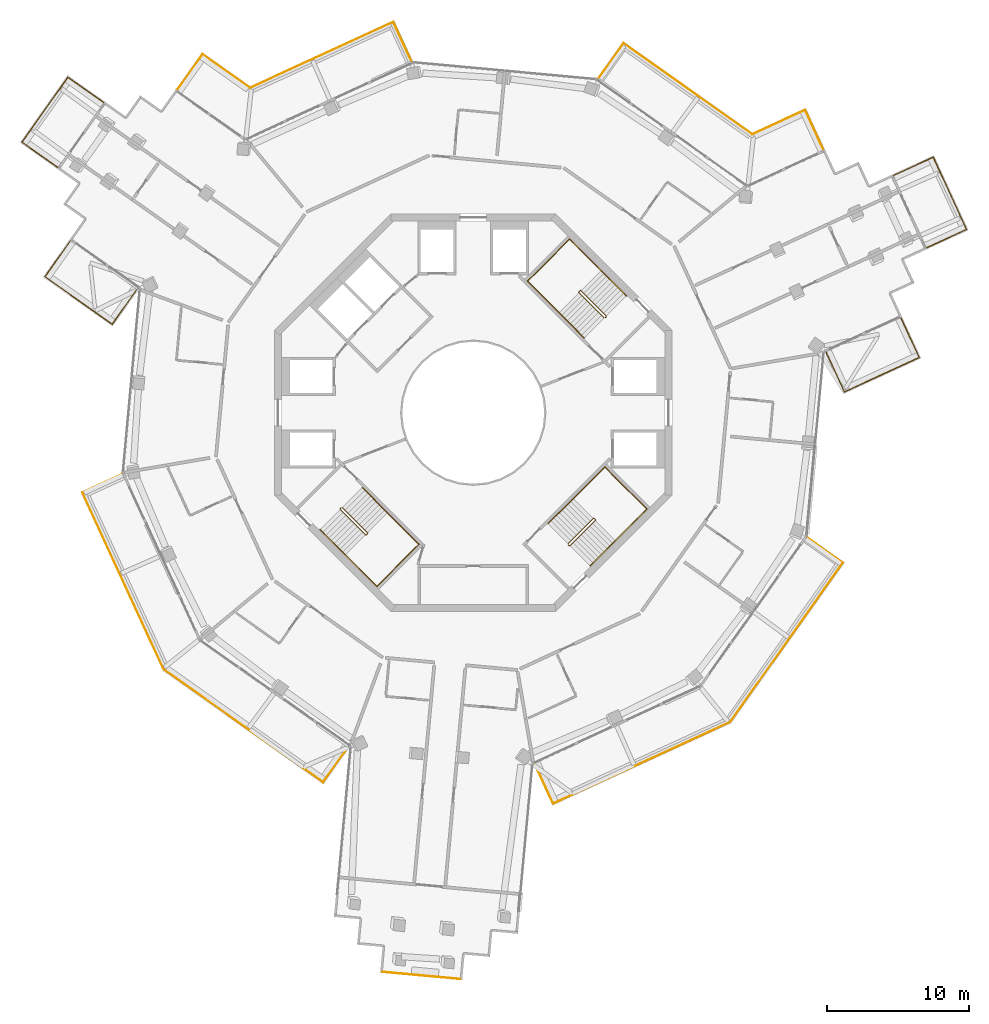
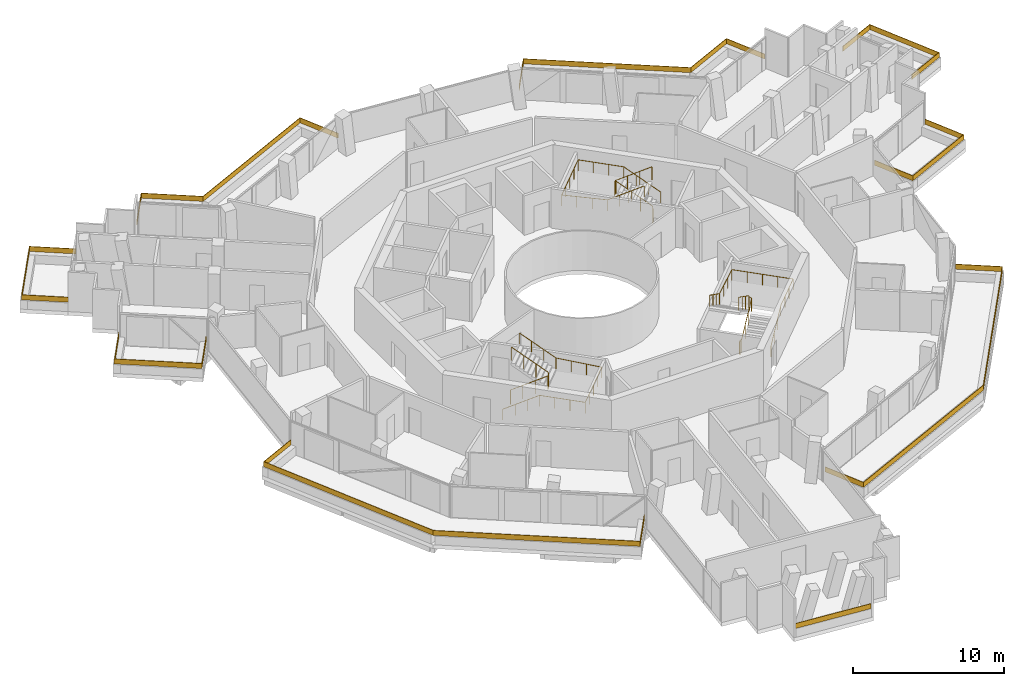
# One storey, part 23 of 23: 15 railings.
"""IFC4 building model written with IfcOpenShell, lengths in metres."""

from ifc_helpers import new_model, si_unit, direction, frame, origin, origin_2d, place, context, subcontext, project, spatial, polyline, rectangle, circle, outline, extrude, material, layer, layer_set, type_object, element, save


model = new_model("IFC4")

# Units and contexts
model_context = context("Model", 3, precision=1e-05, world=origin(), true_north=direction((0.0, 1.0)))
body_context = subcontext(model_context, "Body", "Model", "MODEL_VIEW")
ifc_project = project(units=[si_unit("LENGTHUNIT", "METRE"), si_unit("AREAUNIT", "SQUARE_METRE"), si_unit("VOLUMEUNIT", "CUBIC_METRE"), si_unit("PLANEANGLEUNIT", "RADIAN"), si_unit("MASSUNIT", "GRAM", prefix="KILO")], contexts=[model_context])

# Site, building, storey
site_placement = place(None, origin())
site = spatial("IfcSite", under=ifc_project, at=site_placement, CompositionType="ELEMENT")
building_placement = place(site_placement, origin())
building = spatial("IfcBuilding", under=site, at=building_placement, Name="Verdalira Terraces Hotel", CompositionType="ELEMENT")
storey_placement = place(building_placement, frame((0.0, 0.0, 256.0)))
storey = spatial("IfcBuildingStorey", under=building, at=storey_placement, Name="L63", CompositionType="ELEMENT", Elevation=256.0)

# Railings
ifc_material_1 = material(Name="Laminated glass", Category="glass")
ifc_layer = layer(ifc_material_1, 0.0400390625)
ifc_layer_set = layer_set([ifc_layer], Name="Balcony glass guard 400")
railing_type_1 = type_object("IfcRailingType", Name="Balcony glass guard 400", PredefinedType="GUARDRAIL", material=ifc_layer_set)
railing_1_placement = place(storey_placement, frame((0.0, 0.0, 0.699951)))
element("IfcRailing", 1, at=railing_1_placement, inside=storey, type_object=railing_type_1, Name="Balcony glass guard", PredefinedType="GUARDRAIL", context=body_context, shape_type="SweptSolid", body=[
    extrude(outline(polyline([(-28.545166, 23.601562), (-31.756348, 19.062744), (-29.24292, 17.284424), (-29.266113, 17.251709), (-31.812256, 19.053223), (-28.554688, 23.657227), (-26.008545, 21.855957), (-26.031494, 21.823242), (-28.545166, 23.601562)])), origin(), (0.0, 0.0, 1.0), 0.400146),
])
railing_2_placement = place(storey_placement, frame((0.0, 0.0, 0.699951)))
element("IfcRailing", 2, at=railing_2_placement, inside=storey, type_object=railing_type_1, Name="Balcony glass guard", PredefinedType="GUARDRAIL", context=body_context, shape_type="SweptSolid", body=[
    extrude(outline(polyline([(-30.132812, 9.583984), (-25.434082, 6.259766), (-23.655762, 8.773193), (-23.623047, 8.750244), (-25.424561, 6.203857), (-30.188477, 9.574463), (-28.387207, 12.120605), (-28.354492, 12.097656), (-30.132812, 9.583984)])), origin(), (0.0, 0.0, 1.0), 0.400146),
])
railing_3_placement = place(storey_placement, frame((0.0, 0.0, 0.699951)))
element("IfcRailing", 3, at=railing_3_placement, inside=storey, type_object=railing_type_1, Name="Balcony glass guard", PredefinedType="GUARDRAIL", context=body_context, shape_type="SweptSolid", body=[
    extrude(outline(polyline([(-27.501221, -5.637207), (-21.769775, -18.086426), (-10.581543, -26.002197), (-8.803223, -23.48877), (-8.770508, -23.511963), (-10.572021, -26.058105), (-21.801758, -18.113037), (-27.554199, -5.617432), (-24.720947, -4.313232), (-24.704346, -4.349609), (-27.501221, -5.637207)])), origin(), (0.0, 0.0, 1.0), 0.400146),
])
railing_4_placement = place(storey_placement, frame((0.0, 0.0, 0.699951)))
element("IfcRailing", 4, at=railing_4_placement, inside=storey, type_object=railing_type_1, Name="Balcony glass guard", PredefinedType="GUARDRAIL", context=body_context, shape_type="SweptSolid", body=[
    extrude(outline(polyline([(5.637207, -27.501221), (18.086426, -21.769775), (26.002197, -10.581543), (23.48877, -8.803223), (23.511963, -8.770508), (26.058105, -10.572021), (18.113037, -21.801758), (5.617432, -27.554199), (4.313232, -24.720947), (4.349609, -24.704346), (5.637207, -27.501221)])), origin(), (0.0, 0.0, 1.0), 0.400146),
])
railing_5_placement = place(storey_placement, frame((0.0, 0.0, 0.699951)))
element("IfcRailing", 5, at=railing_5_placement, inside=storey, type_object=railing_type_1, Name="Balcony glass guard", PredefinedType="GUARDRAIL", context=body_context, shape_type="SweptSolid", body=[
    extrude(outline(polyline([(26.150635, 1.492432), (31.378906, 3.899414), (30.091309, 6.696289), (30.127686, 6.713135), (31.431885, 3.879883), (26.130859, 1.439453), (24.82666, 4.272705), (24.863037, 4.289307), (26.150635, 1.492432)])), origin(), (0.0, 0.0, 1.0), 0.400146),
])
railing_6_placement = place(storey_placement, frame((0.0, 0.0, 0.699951)))
element("IfcRailing", 6, at=railing_6_placement, inside=storey, type_object=railing_type_1, Name="Balcony glass guard", PredefinedType="GUARDRAIL", context=body_context, shape_type="SweptSolid", body=[
    extrude(outline(polyline([(34.712158, 12.919922), (32.386963, 17.970459), (29.590088, 16.682861), (29.573486, 16.719238), (32.406494, 18.023682), (34.765137, 12.900391), (31.931885, 11.596191), (31.915283, 11.632324), (34.712158, 12.919922)])), origin(), (0.0, 0.0, 1.0), 0.400146),
])
railing_7_placement = place(storey_placement, frame((0.0, 0.0, 0.699951)))
element("IfcRailing", 7, at=railing_7_placement, inside=storey, type_object=railing_type_1, Name="Balcony glass guard", PredefinedType="GUARDRAIL", context=body_context, shape_type="SweptSolid", body=[
    extrude(outline(polyline([(23.366455, 21.303711), (19.644531, 19.590088), (10.581543, 26.002197), (8.803223, 23.48877), (8.770508, 23.511963), (10.572021, 26.058105), (19.648682, 19.63623), (23.385986, 21.356689), (24.69043, 18.523682), (24.654053, 18.506836), (23.366455, 21.303711)])), origin(), (0.0, 0.0, 1.0), 0.400146),
])
railing_8_placement = place(storey_placement, frame((0.0, 0.0, 0.699951)))
element("IfcRailing", 8, at=railing_8_placement, inside=storey, type_object=railing_type_1, Name="Balcony glass guard", PredefinedType="GUARDRAIL", context=body_context, shape_type="SweptSolid", body=[
    extrude(outline(polyline([(-5.637207, 27.501221), (-15.721436, 22.858643), (-19.066406, 25.225098), (-20.844971, 22.71167), (-20.877441, 22.734863), (-19.076172, 25.281006), (-15.717285, 22.904541), (-5.617432, 27.554199), (-4.313232, 24.720947), (-4.349609, 24.704346), (-5.637207, 27.501221)])), origin(), (0.0, 0.0, 1.0), 0.400146),
])
railing_9_placement = place(storey_placement, frame((-3.662842, -39.635254, 0.699951), z_axis=(0.0, 0.0, 1.0), x_axis=(0.995756881, -0.092023008, 0.0)))
element("IfcRailing", 9, at=railing_9_placement, inside=storey, type_object=railing_type_1, Name="Loggia glass guard", PredefinedType="GUARDRAIL", context=body_context, shape_type="SweptSolid", body=[
    extrude(rectangle(XDim=5.5, YDim=0.040039, at=origin_2d()), origin(), (0.0, 0.0, 1.0), 0.399902),
])
ifc_material_2 = material(Name="Stainless steel", Category="steel")
railing_type_2 = type_object("IfcRailingType", Name="Stair guard 1100", PredefinedType="GUARDRAIL", material=ifc_material_2)
railing_10_placement = place(storey_placement, frame((9.369141, 6.75293, 0.0)))
element("IfcRailing", 10, at=railing_10_placement, inside=storey, type_object=railing_type_2, Name="L63 ST1 stair guard 1", PredefinedType="GUARDRAIL", context=body_context, shape_type="SweptSolid", body=[
    extrude(circle(Radius=0.023926, at=origin_2d()), frame((0.0, 0.0, 1.076172), z_axis=(-0.707106781, -0.707106781, 0.0), x_axis=(0.707106781, -0.707106781, 0.0)), (0.0, 0.0, 1.0), 0.100098),
    extrude(circle(Radius=0.023926, at=origin_2d()), frame((-0.070801, -0.070801, 1.076172), z_axis=(0.300162975, 0.599290904, 0.742127078), x_axis=(-0.894118129, 0.447831187, 0.0)), (0.0, 0.0, 1.0), 0.23584),
    extrude(circle(Radius=0.023926, at=origin_2d()), frame((0.0, 0.070557, 1.250977), z_axis=(-0.599637504, 0.599637504, 0.52997144), x_axis=(-0.707106781, -0.707106781, 0.0)), (0.0, 0.0, 1.0), 2.97168),
    extrude(circle(Radius=0.023926, at=origin_2d()), frame((-1.781982, 1.852539, 2.826172), z_axis=(-1.0, 0.0, 0.0), x_axis=(0.0, -1.0, 0.0)), (0.0, 0.0, 1.0), 0.070557),
    extrude(circle(Radius=0.023926, at=origin_2d()), frame((-1.852539, 1.852539, 2.826172), z_axis=(-0.707106781, -0.707106781, 0.0), x_axis=(0.707106781, -0.707106781, 0.0)), (0.0, 0.0, 1.0), 0.100098),
    extrude(circle(Radius=0.023926, at=origin_2d()), frame((-1.92334, 1.781738, 2.826172), z_axis=(0.0, -0.373842709, 0.927492118), x_axis=(1.0, 0.0, 0.0)), (0.0, 0.0, 1.0), 0.188721),
    extrude(circle(Radius=0.023926, at=origin_2d()), frame((-1.92334, 1.711182, 3.000977), z_axis=(0.599637504, -0.599637504, 0.52997144), x_axis=(0.707106781, 0.707106781, 0.0)), (0.0, 0.0, 1.0), 2.97168),
    extrude(circle(Radius=0.020996, at=origin_2d()), origin(), (0.0, 0.0, 1.0), 1.052002),
    extrude(circle(Radius=0.020996, at=origin_2d()), frame((-0.070801, -0.070801, 0.0)), (0.0, 0.0, 1.0), 1.052002),
    extrude(circle(Radius=0.020996, at=origin_2d()), frame((0.0, 0.070557, 0.175049)), (0.0, 0.0, 1.0), 1.052002),
    extrude(circle(Radius=0.020996, at=origin_2d()), frame((-0.593994, 0.664551, 0.699951)), (0.0, 0.0, 1.0), 1.052002),
    extrude(circle(Radius=0.020996, at=origin_2d()), frame((-1.187988, 1.258545, 1.225098)), (0.0, 0.0, 1.0), 1.052002),
    extrude(circle(Radius=0.020996, at=origin_2d()), frame((-1.781982, 1.852539, 1.75)), (0.0, 0.0, 1.0), 1.052002),
    extrude(circle(Radius=0.020996, at=origin_2d()), frame((-1.852539, 1.852539, 1.75)), (0.0, 0.0, 1.0), 1.052002),
    extrude(circle(Radius=0.020996, at=origin_2d()), frame((-1.92334, 1.781738, 1.75)), (0.0, 0.0, 1.0), 1.052002),
    extrude(circle(Radius=0.020996, at=origin_2d()), frame((-1.92334, 1.711182, 1.925049)), (0.0, 0.0, 1.0), 1.052002),
    extrude(circle(Radius=0.020996, at=origin_2d()), frame((-1.329346, 1.117188, 2.449951)), (0.0, 0.0, 1.0), 1.052002),
    extrude(circle(Radius=0.020996, at=origin_2d()), frame((-0.735352, 0.523193, 2.975098)), (0.0, 0.0, 1.0), 1.052002),
    extrude(circle(Radius=0.020996, at=origin_2d()), frame((-0.141357, -0.070801, 3.5)), (0.0, 0.0, 1.0), 1.052002),
])
railing_11_placement = place(storey_placement, frame((-9.369141, -6.75293, 0.0)))
element("IfcRailing", 11, at=railing_11_placement, inside=storey, type_object=railing_type_2, Name="L63 ST2 stair guard 1", PredefinedType="GUARDRAIL", context=body_context, shape_type="SweptSolid", body=[
    extrude(circle(Radius=0.023926, at=origin_2d()), frame((0.0, 0.0, 1.076172), z_axis=(0.707106781, 0.707106781, 0.0), x_axis=(-0.707106781, 0.707106781, 0.0)), (0.0, 0.0, 1.0), 0.100098),
    extrude(circle(Radius=0.023926, at=origin_2d()), frame((0.070801, 0.070801, 1.076172), z_axis=(-0.300162975, -0.599290904, 0.742127078), x_axis=(0.894118129, -0.447831187, 0.0)), (0.0, 0.0, 1.0), 0.23584),
    extrude(circle(Radius=0.023926, at=origin_2d()), frame((0.0, -0.070557, 1.250977), z_axis=(0.599637504, -0.599637504, 0.52997144), x_axis=(0.707106781, 0.707106781, 0.0)), (0.0, 0.0, 1.0), 2.97168),
    extrude(circle(Radius=0.023926, at=origin_2d()), frame((1.781982, -1.852539, 2.826172), z_axis=(1.0, 0.0, 0.0), x_axis=(0.0, 1.0, 0.0)), (0.0, 0.0, 1.0), 0.070557),
    extrude(circle(Radius=0.023926, at=origin_2d()), frame((1.852539, -1.852539, 2.826172), z_axis=(0.707106781, 0.707106781, 0.0), x_axis=(-0.707106781, 0.707106781, 0.0)), (0.0, 0.0, 1.0), 0.100098),
    extrude(circle(Radius=0.023926, at=origin_2d()), frame((1.92334, -1.781738, 2.826172), z_axis=(0.0, 0.373842709, 0.927492118), x_axis=(-1.0, 0.0, 0.0)), (0.0, 0.0, 1.0), 0.188721),
    extrude(circle(Radius=0.023926, at=origin_2d()), frame((1.92334, -1.711182, 3.000977), z_axis=(-0.599637504, 0.599637504, 0.52997144), x_axis=(-0.707106781, -0.707106781, 0.0)), (0.0, 0.0, 1.0), 2.97168),
    extrude(circle(Radius=0.020996, at=origin_2d()), origin(), (0.0, 0.0, 1.0), 1.052002),
    extrude(circle(Radius=0.020996, at=origin_2d()), frame((0.070801, 0.070801, 0.0)), (0.0, 0.0, 1.0), 1.052002),
    extrude(circle(Radius=0.020996, at=origin_2d()), frame((0.0, -0.070557, 0.175049)), (0.0, 0.0, 1.0), 1.052002),
    extrude(circle(Radius=0.020996, at=origin_2d()), frame((0.593994, -0.664551, 0.699951)), (0.0, 0.0, 1.0), 1.052002),
    extrude(circle(Radius=0.020996, at=origin_2d()), frame((1.187988, -1.258545, 1.225098)), (0.0, 0.0, 1.0), 1.052002),
    extrude(circle(Radius=0.020996, at=origin_2d()), frame((1.781982, -1.852539, 1.75)), (0.0, 0.0, 1.0), 1.052002),
    extrude(circle(Radius=0.020996, at=origin_2d()), frame((1.852539, -1.852539, 1.75)), (0.0, 0.0, 1.0), 1.052002),
    extrude(circle(Radius=0.020996, at=origin_2d()), frame((1.92334, -1.781738, 1.75)), (0.0, 0.0, 1.0), 1.052002),
    extrude(circle(Radius=0.020996, at=origin_2d()), frame((1.92334, -1.711182, 1.925049)), (0.0, 0.0, 1.0), 1.052002),
    extrude(circle(Radius=0.020996, at=origin_2d()), frame((1.329346, -1.117188, 2.449951)), (0.0, 0.0, 1.0), 1.052002),
    extrude(circle(Radius=0.020996, at=origin_2d()), frame((0.735352, -0.523193, 2.975098)), (0.0, 0.0, 1.0), 1.052002),
    extrude(circle(Radius=0.020996, at=origin_2d()), frame((0.141357, 0.070801, 3.5)), (0.0, 0.0, 1.0), 1.052002),
])
railing_12_placement = place(storey_placement, frame((6.75293, -9.369141, 0.0)))
element("IfcRailing", 12, at=railing_12_placement, inside=storey, type_object=railing_type_2, Name="L63 ST3 stair guard 1", PredefinedType="GUARDRAIL", context=body_context, shape_type="SweptSolid", body=[
    extrude(circle(Radius=0.023926, at=origin_2d()), frame((0.0, 0.0, 1.076172), z_axis=(-0.707106781, 0.707106781, 0.0), x_axis=(-0.707106781, -0.707106781, 0.0)), (0.0, 0.0, 1.0), 0.100098),
    extrude(circle(Radius=0.023926, at=origin_2d()), frame((-0.070801, 0.070801, 1.076172), z_axis=(0.599290904, -0.300162975, 0.742127078), x_axis=(0.447831187, 0.894118129, 0.0)), (0.0, 0.0, 1.0), 0.23584),
    extrude(circle(Radius=0.023926, at=origin_2d()), frame((0.070557, 0.0, 1.250977), z_axis=(0.599637504, 0.599637504, 0.52997144), x_axis=(-0.707106781, 0.707106781, 0.0)), (0.0, 0.0, 1.0), 2.97168),
    extrude(circle(Radius=0.023926, at=origin_2d()), frame((1.852539, 1.781982, 2.826172), z_axis=(0.0, 1.0, 0.0), x_axis=(-1.0, 0.0, 0.0)), (0.0, 0.0, 1.0), 0.070557),
    extrude(circle(Radius=0.023926, at=origin_2d()), frame((1.852539, 1.852539, 2.826172), z_axis=(-0.707106781, 0.707106781, 0.0), x_axis=(-0.707106781, -0.707106781, 0.0)), (0.0, 0.0, 1.0), 0.100098),
    extrude(circle(Radius=0.023926, at=origin_2d()), frame((1.781738, 1.92334, 2.826172), z_axis=(-0.373842709, 0.0, 0.927492118), x_axis=(0.0, -1.0, 0.0)), (0.0, 0.0, 1.0), 0.188721),
    extrude(circle(Radius=0.023926, at=origin_2d()), frame((1.711182, 1.92334, 3.000977), z_axis=(-0.599637504, -0.599637504, 0.52997144), x_axis=(0.707106781, -0.707106781, 0.0)), (0.0, 0.0, 1.0), 2.97168),
    extrude(circle(Radius=0.020996, at=origin_2d()), origin(), (0.0, 0.0, 1.0), 1.052002),
    extrude(circle(Radius=0.020996, at=origin_2d()), frame((-0.070801, 0.070801, 0.0)), (0.0, 0.0, 1.0), 1.052002),
    extrude(circle(Radius=0.020996, at=origin_2d()), frame((0.070557, 0.0, 0.175049)), (0.0, 0.0, 1.0), 1.052002),
    extrude(circle(Radius=0.020996, at=origin_2d()), frame((0.664551, 0.593994, 0.699951)), (0.0, 0.0, 1.0), 1.052002),
    extrude(circle(Radius=0.020996, at=origin_2d()), frame((1.258545, 1.187988, 1.225098)), (0.0, 0.0, 1.0), 1.052002),
    extrude(circle(Radius=0.020996, at=origin_2d()), frame((1.852539, 1.781982, 1.75)), (0.0, 0.0, 1.0), 1.052002),
    extrude(circle(Radius=0.020996, at=origin_2d()), frame((1.852539, 1.852539, 1.75)), (0.0, 0.0, 1.0), 1.052002),
    extrude(circle(Radius=0.020996, at=origin_2d()), frame((1.781738, 1.92334, 1.75)), (0.0, 0.0, 1.0), 1.052002),
    extrude(circle(Radius=0.020996, at=origin_2d()), frame((1.711182, 1.92334, 1.925049)), (0.0, 0.0, 1.0), 1.052002),
    extrude(circle(Radius=0.020996, at=origin_2d()), frame((1.117188, 1.329346, 2.449951)), (0.0, 0.0, 1.0), 1.052002),
    extrude(circle(Radius=0.020996, at=origin_2d()), frame((0.523193, 0.735352, 2.975098)), (0.0, 0.0, 1.0), 1.052002),
    extrude(circle(Radius=0.020996, at=origin_2d()), frame((-0.070801, 0.141357, 3.5)), (0.0, 0.0, 1.0), 1.052002),
])
ifc_material_3 = material(Name="Stainless steel", Category="steel")
railing_type_3 = type_object("IfcRailingType", Name="Stair handrail 900", PredefinedType="HANDRAIL", material=ifc_material_3)
railing_13_placement = place(storey_placement, frame((10.783447, 8.237793, 0.175049)))
element("IfcRailing", 13, at=railing_13_placement, inside=storey, type_object=railing_type_3, Name="L63 ST1 stair handrail 1", PredefinedType="HANDRAIL", context=body_context, shape_type="SweptSolid", body=[
    extrude(circle(Radius=0.023926, at=origin_2d()), frame((0.0, 0.0, 0.875977), z_axis=(-0.599637504, 0.599637504, 0.52997144), x_axis=(-0.707106781, -0.707106781, 0.0)), (0.0, 0.0, 1.0), 2.97168),
    extrude(circle(Radius=0.023926, at=origin_2d()), frame((-1.781982, 1.781982, 2.450684), z_axis=(-0.707106781, 0.707106781, 0.0), x_axis=(-0.707106781, -0.707106781, 0.0)), (0.0, 0.0, 1.0), 3.129883),
    extrude(circle(Radius=0.023926, at=origin_2d()), frame((-3.995117, 3.995117, 2.450684), z_axis=(-0.707135845, -0.707077716, 0.0), x_axis=(0.707077716, -0.707135845, 0.0)), (0.0, 0.0, 1.0), 4.199951),
    extrude(circle(Radius=0.023926, at=origin_2d()), frame((-6.965088, 1.025391, 2.450684), z_axis=(0.706003682, -0.706003682, 0.0558355), x_axis=(0.707106781, 0.707106781, 0.0)), (0.0, 0.0, 1.0), 3.13501),
    extrude(circle(Radius=0.023926, at=origin_2d()), frame((-4.751709, -1.187988, 2.625977), z_axis=(0.599614426, -0.599614426, 0.530023659), x_axis=(0.707106781, 0.707106781, 0.0)), (0.0, 0.0, 1.0), 2.971436),
    extrude(circle(Radius=0.020996, at=origin_2d()), origin(), (0.0, 0.0, 1.0), 0.851807),
    extrude(circle(Radius=0.020996, at=origin_2d()), frame((-0.593994, 0.593994, 0.524902)), (0.0, 0.0, 1.0), 0.851807),
    extrude(circle(Radius=0.020996, at=origin_2d()), frame((-1.187988, 1.187988, 1.050049)), (0.0, 0.0, 1.0), 0.851807),
    extrude(circle(Radius=0.020996, at=origin_2d()), frame((-1.781982, 1.781982, 1.574951)), (0.0, 0.0, 1.0), 0.851807),
    extrude(circle(Radius=0.020996, at=origin_2d()), frame((-2.519775, 2.519775, 1.574951)), (0.0, 0.0, 1.0), 0.851807),
    extrude(circle(Radius=0.020996, at=origin_2d()), frame((-3.257324, 3.257324, 1.574951)), (0.0, 0.0, 1.0), 0.851807),
    extrude(circle(Radius=0.020996, at=origin_2d()), frame((-3.995117, 3.995117, 1.574951)), (0.0, 0.0, 1.0), 0.851807),
    extrude(circle(Radius=0.020996, at=origin_2d()), frame((-4.737549, 3.252686, 1.574951)), (0.0, 0.0, 1.0), 0.851807),
    extrude(circle(Radius=0.020996, at=origin_2d()), frame((-5.47998, 2.510254, 1.574951)), (0.0, 0.0, 1.0), 0.851807),
    extrude(circle(Radius=0.020996, at=origin_2d()), frame((-6.222656, 1.767822, 1.574951)), (0.0, 0.0, 1.0), 0.851807),
    extrude(circle(Radius=0.020996, at=origin_2d()), frame((-6.965088, 1.025391, 1.574951)), (0.0, 0.0, 1.0), 0.851807),
    extrude(circle(Radius=0.020996, at=origin_2d()), frame((-6.227295, 0.287598, 1.633301)), (0.0, 0.0, 1.0), 0.851807),
    extrude(circle(Radius=0.020996, at=origin_2d()), frame((-5.489502, -0.450195, 1.69165)), (0.0, 0.0, 1.0), 0.851807),
    extrude(circle(Radius=0.020996, at=origin_2d()), frame((-4.751709, -1.187988, 1.75)), (0.0, 0.0, 1.0), 0.851807),
    extrude(circle(Radius=0.020996, at=origin_2d()), frame((-4.157715, -1.781982, 2.274902)), (0.0, 0.0, 1.0), 0.851807),
    extrude(circle(Radius=0.020996, at=origin_2d()), frame((-3.563965, -2.375732, 2.800049)), (0.0, 0.0, 1.0), 0.851807),
    extrude(circle(Radius=0.020996, at=origin_2d()), frame((-2.969971, -2.969727, 3.324951)), (0.0, 0.0, 1.0), 0.851807),
])
railing_14_placement = place(storey_placement, frame((-10.783447, -8.237793, 0.175049)))
element("IfcRailing", 14, at=railing_14_placement, inside=storey, type_object=railing_type_3, Name="L63 ST2 stair handrail 1", PredefinedType="HANDRAIL", context=body_context, shape_type="SweptSolid", body=[
    extrude(circle(Radius=0.023926, at=origin_2d()), frame((0.0, 0.0, 0.875977), z_axis=(0.599637504, -0.599637504, 0.52997144), x_axis=(0.707106781, 0.707106781, 0.0)), (0.0, 0.0, 1.0), 2.97168),
    extrude(circle(Radius=0.023926, at=origin_2d()), frame((1.781982, -1.781982, 2.450684), z_axis=(0.707106781, -0.707106781, 0.0), x_axis=(0.707106781, 0.707106781, 0.0)), (0.0, 0.0, 1.0), 3.129883),
    extrude(circle(Radius=0.023926, at=origin_2d()), frame((3.995117, -3.995117, 2.450684), z_axis=(0.707135845, 0.707077716, 0.0), x_axis=(-0.707077716, 0.707135845, 0.0)), (0.0, 0.0, 1.0), 4.199951),
    extrude(circle(Radius=0.023926, at=origin_2d()), frame((6.965088, -1.025391, 2.450684), z_axis=(-0.706003682, 0.706003682, 0.0558355), x_axis=(-0.707106781, -0.707106781, 0.0)), (0.0, 0.0, 1.0), 3.13501),
    extrude(circle(Radius=0.023926, at=origin_2d()), frame((4.751709, 1.187988, 2.625977), z_axis=(-0.599614426, 0.599614426, 0.530023659), x_axis=(-0.707106781, -0.707106781, 0.0)), (0.0, 0.0, 1.0), 2.971436),
    extrude(circle(Radius=0.020996, at=origin_2d()), origin(), (0.0, 0.0, 1.0), 0.851807),
    extrude(circle(Radius=0.020996, at=origin_2d()), frame((0.593994, -0.593994, 0.524902)), (0.0, 0.0, 1.0), 0.851807),
    extrude(circle(Radius=0.020996, at=origin_2d()), frame((1.187988, -1.187988, 1.050049)), (0.0, 0.0, 1.0), 0.851807),
    extrude(circle(Radius=0.020996, at=origin_2d()), frame((1.781982, -1.781982, 1.574951)), (0.0, 0.0, 1.0), 0.851807),
    extrude(circle(Radius=0.020996, at=origin_2d()), frame((2.519775, -2.519775, 1.574951)), (0.0, 0.0, 1.0), 0.851807),
    extrude(circle(Radius=0.020996, at=origin_2d()), frame((3.257324, -3.257324, 1.574951)), (0.0, 0.0, 1.0), 0.851807),
    extrude(circle(Radius=0.020996, at=origin_2d()), frame((3.995117, -3.995117, 1.574951)), (0.0, 0.0, 1.0), 0.851807),
    extrude(circle(Radius=0.020996, at=origin_2d()), frame((4.737549, -3.252686, 1.574951)), (0.0, 0.0, 1.0), 0.851807),
    extrude(circle(Radius=0.020996, at=origin_2d()), frame((5.47998, -2.510254, 1.574951)), (0.0, 0.0, 1.0), 0.851807),
    extrude(circle(Radius=0.020996, at=origin_2d()), frame((6.222656, -1.767822, 1.574951)), (0.0, 0.0, 1.0), 0.851807),
    extrude(circle(Radius=0.020996, at=origin_2d()), frame((6.965088, -1.025391, 1.574951)), (0.0, 0.0, 1.0), 0.851807),
    extrude(circle(Radius=0.020996, at=origin_2d()), frame((6.227295, -0.287598, 1.633301)), (0.0, 0.0, 1.0), 0.851807),
    extrude(circle(Radius=0.020996, at=origin_2d()), frame((5.489502, 0.450195, 1.69165)), (0.0, 0.0, 1.0), 0.851807),
    extrude(circle(Radius=0.020996, at=origin_2d()), frame((4.751709, 1.187988, 1.75)), (0.0, 0.0, 1.0), 0.851807),
    extrude(circle(Radius=0.020996, at=origin_2d()), frame((4.157715, 1.781982, 2.274902)), (0.0, 0.0, 1.0), 0.851807),
    extrude(circle(Radius=0.020996, at=origin_2d()), frame((3.563965, 2.375732, 2.800049)), (0.0, 0.0, 1.0), 0.851807),
    extrude(circle(Radius=0.020996, at=origin_2d()), frame((2.969971, 2.969727, 3.324951)), (0.0, 0.0, 1.0), 0.851807),
])
railing_15_placement = place(storey_placement, frame((8.237793, -10.783447, 0.175049)))
element("IfcRailing", 15, at=railing_15_placement, inside=storey, type_object=railing_type_3, Name="L63 ST3 stair handrail 1", PredefinedType="HANDRAIL", context=body_context, shape_type="SweptSolid", body=[
    extrude(circle(Radius=0.023926, at=origin_2d()), frame((0.0, 0.0, 0.875977), z_axis=(0.599637504, 0.599637504, 0.52997144), x_axis=(-0.707106781, 0.707106781, 0.0)), (0.0, 0.0, 1.0), 2.97168),
    extrude(circle(Radius=0.023926, at=origin_2d()), frame((1.781982, 1.781982, 2.450684), z_axis=(0.707106781, 0.707106781, 0.0), x_axis=(-0.707106781, 0.707106781, 0.0)), (0.0, 0.0, 1.0), 3.129883),
    extrude(circle(Radius=0.023926, at=origin_2d()), frame((3.995117, 3.995117, 2.450684), z_axis=(-0.707077716, 0.707135845, 0.0), x_axis=(-0.707135845, -0.707077716, 0.0)), (0.0, 0.0, 1.0), 4.199951),
    extrude(circle(Radius=0.023926, at=origin_2d()), frame((1.025391, 6.965088, 2.450684), z_axis=(-0.706003682, -0.706003682, 0.0558355), x_axis=(0.707106781, -0.707106781, 0.0)), (0.0, 0.0, 1.0), 3.13501),
    extrude(circle(Radius=0.023926, at=origin_2d()), frame((-1.187988, 4.751709, 2.625977), z_axis=(-0.599614426, -0.599614426, 0.530023659), x_axis=(0.707106781, -0.707106781, 0.0)), (0.0, 0.0, 1.0), 2.971436),
    extrude(circle(Radius=0.020996, at=origin_2d()), origin(), (0.0, 0.0, 1.0), 0.851807),
    extrude(circle(Radius=0.020996, at=origin_2d()), frame((0.593994, 0.593994, 0.524902)), (0.0, 0.0, 1.0), 0.851807),
    extrude(circle(Radius=0.020996, at=origin_2d()), frame((1.187988, 1.187988, 1.050049)), (0.0, 0.0, 1.0), 0.851807),
    extrude(circle(Radius=0.020996, at=origin_2d()), frame((1.781982, 1.781982, 1.574951)), (0.0, 0.0, 1.0), 0.851807),
    extrude(circle(Radius=0.020996, at=origin_2d()), frame((2.519775, 2.519775, 1.574951)), (0.0, 0.0, 1.0), 0.851807),
    extrude(circle(Radius=0.020996, at=origin_2d()), frame((3.257324, 3.257324, 1.574951)), (0.0, 0.0, 1.0), 0.851807),
    extrude(circle(Radius=0.020996, at=origin_2d()), frame((3.995117, 3.995117, 1.574951)), (0.0, 0.0, 1.0), 0.851807),
    extrude(circle(Radius=0.020996, at=origin_2d()), frame((3.252686, 4.737549, 1.574951)), (0.0, 0.0, 1.0), 0.851807),
    extrude(circle(Radius=0.020996, at=origin_2d()), frame((2.510254, 5.47998, 1.574951)), (0.0, 0.0, 1.0), 0.851807),
    extrude(circle(Radius=0.020996, at=origin_2d()), frame((1.767822, 6.222656, 1.574951)), (0.0, 0.0, 1.0), 0.851807),
    extrude(circle(Radius=0.020996, at=origin_2d()), frame((1.025391, 6.965088, 1.574951)), (0.0, 0.0, 1.0), 0.851807),
    extrude(circle(Radius=0.020996, at=origin_2d()), frame((0.287598, 6.227295, 1.633301)), (0.0, 0.0, 1.0), 0.851807),
    extrude(circle(Radius=0.020996, at=origin_2d()), frame((-0.450195, 5.489502, 1.69165)), (0.0, 0.0, 1.0), 0.851807),
    extrude(circle(Radius=0.020996, at=origin_2d()), frame((-1.187988, 4.751709, 1.75)), (0.0, 0.0, 1.0), 0.851807),
    extrude(circle(Radius=0.020996, at=origin_2d()), frame((-1.781982, 4.157715, 2.274902)), (0.0, 0.0, 1.0), 0.851807),
    extrude(circle(Radius=0.020996, at=origin_2d()), frame((-2.375732, 3.563965, 2.800049)), (0.0, 0.0, 1.0), 0.851807),
    extrude(circle(Radius=0.020996, at=origin_2d()), frame((-2.969727, 2.969971, 3.324951)), (0.0, 0.0, 1.0), 0.851807),
])

save(model, "model.ifc")
